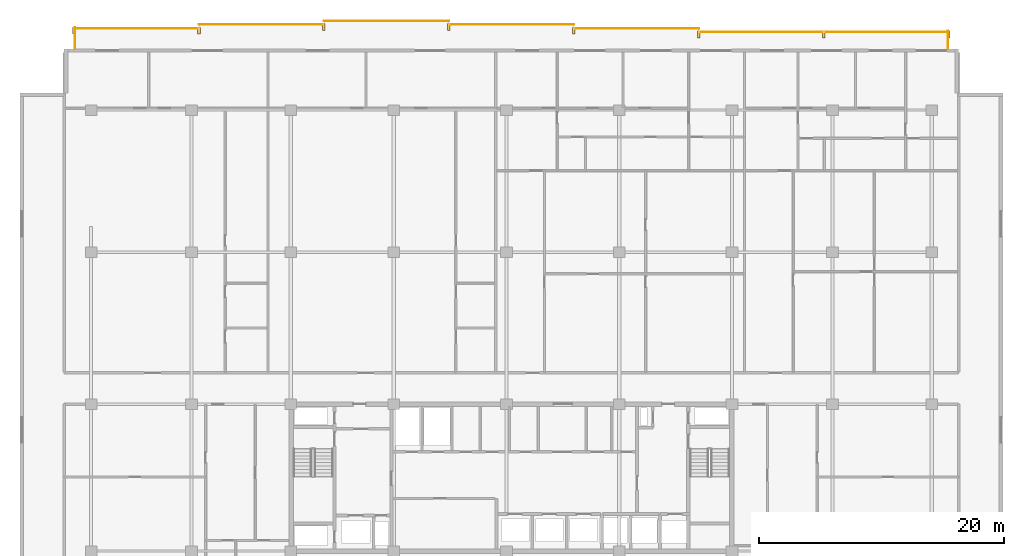
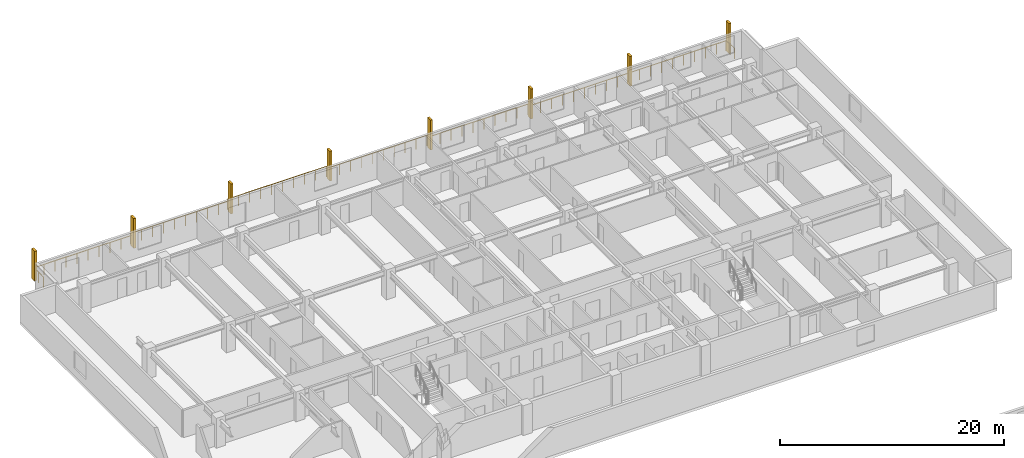
# One storey, part 22 of 22: 8 railings, 8 shading devices.
"""IFC4 building model written with IfcOpenShell, lengths in metres."""

import ifcopenshell
import ifcopenshell.guid

model = None  # the IFC model being written
_history = None  # IfcOwnerHistory: only IFC2X3 demands one
_inside = {}  # id of a spatial element -> (the spatial element, [elements in it])
_under = {}  # id of a project, library or spatial element -> (it, [spatial elements below it])
_declared = {}  # id of a project -> (the project, [libraries it declares])
_typed = {}  # id of a type object -> (the type object, [elements of that type])
_made_of = {}  # id of a material, layer set ... -> (it, [elements and type objects made of it])


def new_model(schema):
    """Start an empty IFC model of exactly this schema.

    Asked for "IFC4X3", IfcOpenShell would pick the latest addendum, in which some entities
    have other attributes; the version numbers below select the first issue.
    IFC2X3 requires an IfcOwnerHistory on every rooted entity: one is made here for all.
    """
    global model, _history
    if schema == "IFC4X3":
        model = ifcopenshell.file(schema_version=(4, 3, 0, 0))
    else:
        model = ifcopenshell.file(schema=schema)
    _inside.clear()
    _under.clear()
    _declared.clear()
    _typed.clear()
    _made_of.clear()
    _history = None
    if model.schema == "IFC2X3":
        org = make("IfcOrganization", Name="unknown")
        user = make(
            "IfcPersonAndOrganization",
            ThePerson=make("IfcPerson", FamilyName="unknown"),
            TheOrganization=org,
        )
        app = make(
            "IfcApplication",
            ApplicationDeveloper=org,
            Version="unknown",
            ApplicationFullName="unknown",
            ApplicationIdentifier="unknown",
        )
        _history = make(
            "IfcOwnerHistory",
            OwningUser=user,
            OwningApplication=app,
            ChangeAction="ADDED",
            CreationDate=0,
        )
    return model


def make(cls, **values):
    """One entity of the class cls with the attributes given. An attribute that is None is left unset."""
    return model.create_entity(
        cls, **{name: value for name, value in values.items() if value is not None}
    )


def rooted(cls, **values):
    """An entity with a GlobalId (a new one), such as an element, a storey or a relation."""
    return make(cls, GlobalId=ifcopenshell.guid.new(), OwnerHistory=_history, **values)


def si_unit(unit_type, name, prefix=None):
    """IfcSIUnit, for example si_unit("LENGTHUNIT", "METRE", prefix="MILLI")."""
    return make("IfcSIUnit", UnitType=unit_type, Prefix=prefix, Name=name)


def assignment(units):
    """IfcUnitAssignment: the units of a project."""
    return None if units is None else make("IfcUnitAssignment", Units=units)


def point(xyz):
    """IfcCartesianPoint."""
    return None if xyz is None else make("IfcCartesianPoint", Coordinates=xyz)


def direction(xyz):
    """IfcDirection."""
    return None if xyz is None else make("IfcDirection", DirectionRatios=xyz)


def frame(location, z_axis=None, x_axis=None):
    """IfcAxis2Placement3D, a coordinate frame: its origin and axes. An axis left out is left unset."""
    return make(
        "IfcAxis2Placement3D",
        Location=point(location),
        Axis=direction(z_axis),
        RefDirection=direction(x_axis),
    )


def frame_2d(location, x_axis=None):
    """IfcAxis2Placement2D, a coordinate frame in the plane: its origin and x axis."""
    return make(
        "IfcAxis2Placement2D", Location=point(location), RefDirection=direction(x_axis)
    )


def origin():
    """The frame at (0, 0, 0) with its axes left unset."""
    return frame((0.0, 0.0, 0.0))


def origin_2d():
    """The frame at (0, 0) in the plane with its x axis left unset."""
    return frame_2d((0.0, 0.0))


def place(relative_to, where):
    """IfcLocalPlacement: puts the frame where relative to a parent placement (None: the world)."""
    return make(
        "IfcLocalPlacement", PlacementRelTo=relative_to, RelativePlacement=where
    )


def context(
    kind, dimensions, precision=None, world=None, true_north=None, identifier=None
):
    """IfcGeometricRepresentationContext, for example the 3D "Model" context."""
    return make(
        "IfcGeometricRepresentationContext",
        ContextIdentifier=identifier,
        ContextType=kind,
        CoordinateSpaceDimension=dimensions,
        Precision=precision,
        WorldCoordinateSystem=world,
        TrueNorth=true_north,
    )


def subcontext(parent, identifier, kind, view, scale=None):
    """IfcGeometricRepresentationSubContext, for example "Body" below "Model"."""
    return make(
        "IfcGeometricRepresentationSubContext",
        ContextIdentifier=identifier,
        ContextType=kind,
        ParentContext=parent,
        TargetScale=scale,
        TargetView=view,
    )


def project(units=None, contexts=None):
    """IfcProject with its units and contexts."""
    return rooted(
        "IfcProject",
        Name="project",
        RepresentationContexts=contexts,
        UnitsInContext=assignment(units),
    )


def spatial(cls, under=None, at=None, **own):
    """A site, building, storey or space (cls), placed at a placement, below another one or the project."""
    s = rooted(cls, ObjectPlacement=at, **own)
    if under is not None:
        _under.setdefault(under.id(), (under, []))[1].append(s)
    return s


def profile(cls, at=None, kind="AREA", **sizes):
    """A parametric profile (cls). Its sizes go by their IFC names, for example OverallWidth=200.0."""
    return make(cls, ProfileType=kind, Position=at, **sizes)


def rectangle(**sizes):
    """IfcRectangleProfileDef."""
    return profile("IfcRectangleProfileDef", **sizes)


def circle(**sizes):
    """IfcCircleProfileDef."""
    return profile("IfcCircleProfileDef", **sizes)


def extrude(swept, where, along, depth):
    """IfcExtrudedAreaSolid: the profile swept, set in the frame where, extruded along a direction by depth."""
    return make(
        "IfcExtrudedAreaSolid",
        SweptArea=swept,
        Position=where,
        ExtrudedDirection=direction(along),
        Depth=depth,
    )


def shape(context_of_items, identifier, shape_type, items):
    """IfcShapeRepresentation: the items that make up one representation, for example the "Body"."""
    return make(
        "IfcShapeRepresentation",
        ContextOfItems=context_of_items,
        RepresentationIdentifier=identifier,
        RepresentationType=shape_type,
        Items=items,
    )


def material(Name=None, Category=None):
    """IfcMaterial."""
    return make("IfcMaterial", Name=Name, Category=Category)


def made_of(thing, what):
    """Note that an element or type object is made of a material, layer set ...; save() writes the relation."""
    if what is not None:
        _made_of.setdefault(what.id(), (what, []))[1].append(thing)
    return thing


def type_object(cls, material=None, **own):
    """A type object (cls), such as IfcWallType, which elements share."""
    return made_of(rooted(cls, **own), material)


def element(
    cls,
    number,
    at=None,
    inside=None,
    cuts=None,
    type_object=None,
    material=None,
    context=None,
    identifier="Body",
    shape_type=None,
    held_by="IfcProductDefinitionShape",
    body=None,
    shapes=None,
    **own,
):
    """One element of the class cls, such as IfcWall. Its Tag is "e" and its number.

    at: its placement. inside: the storey or other place that contains it. cuts: it is an
    opening in that element (IfcRelVoidsElement). A single representation is given by context,
    identifier, shape_type and body (its items); several are given by shapes. held_by: the class
    of the entity that holds the representations. save() writes the other relations.
    """
    e = rooted(cls, Tag="e%d" % number, ObjectPlacement=at, **own)
    if body is not None:
        shapes = [shape(context, identifier, shape_type, body)]
    if shapes is not None:
        e.Representation = make(held_by, Representations=shapes)
    if inside is not None:
        _inside.setdefault(inside.id(), (inside, []))[1].append(e)
    if cuts is not None:
        rooted(
            "IfcRelVoidsElement", RelatingBuildingElement=cuts, RelatedOpeningElement=e
        )
    if type_object is not None:
        _typed.setdefault(type_object.id(), (type_object, []))[1].append(e)
    return made_of(e, material)


def aggregate(whole, parts):
    """IfcRelAggregates: a whole, such as a stair, and the parts it consists of."""
    return rooted("IfcRelAggregates", RelatingObject=whole, RelatedObjects=parts)


def save(model, path):
    """Write the relations noted so far, then the file.

    IfcRelAggregates (storeys below a building ...), IfcRelContainedInSpatialStructure (elements
    in a storey), IfcRelDefinesByType, IfcRelAssociatesMaterial and IfcRelDeclares: one each for
    every whole, place, type object, material and project.
    """
    for whole, parts in _under.values():
        aggregate(whole, parts)
    for where, things in _inside.values():
        rooted(
            "IfcRelContainedInSpatialStructure",
            RelatedElements=things,
            RelatingStructure=where,
        )
    for kind, things in _typed.values():
        rooted("IfcRelDefinesByType", RelatedObjects=things, RelatingType=kind)
    for what, things in _made_of.values():
        rooted("IfcRelAssociatesMaterial", RelatedObjects=things, RelatingMaterial=what)
    for by, libraries in _declared.values():
        rooted("IfcRelDeclares", RelatingContext=by, RelatedDefinitions=libraries)
    model.write(path)


model = new_model("IFC4")

# Units and contexts
model_context = context("Model", 3, precision=1e-05, world=origin(), true_north=direction((0.0, 1.0)))
body_context = subcontext(model_context, "Body", "Model", "MODEL_VIEW")
ifc_project = project(units=[si_unit("LENGTHUNIT", "METRE"), si_unit("AREAUNIT", "SQUARE_METRE"), si_unit("VOLUMEUNIT", "CUBIC_METRE"), si_unit("PLANEANGLEUNIT", "RADIAN"), si_unit("MASSUNIT", "GRAM", prefix="KILO")], contexts=[model_context])

# Site, building, storey
site_placement = place(None, origin())
site = spatial("IfcSite", under=ifc_project, at=site_placement, CompositionType="ELEMENT")
building_placement = place(site_placement, origin())
building = spatial("IfcBuilding", under=site, at=building_placement, Name="Korimba Cascade Residences", CompositionType="ELEMENT")
storey_placement = place(building_placement, frame((0.0, 0.0, 129.550048828125)))
storey = spatial("IfcBuildingStorey", under=building, at=storey_placement, Name="L37", CompositionType="ELEMENT", Elevation=129.550048828125)

# Railings
ifc_material_1 = material(Name="Laminated Glass and Bronze Balustrade", Category="glass")
railing_type = type_object("IfcRailingType", Name="RLG-LOG-1150", PredefinedType="BALUSTRADE", material=ifc_material_1)
railing_1_placement = place(storey_placement, frame((129.719970703125, 96.199951171875, 0.0)))
element("IfcRailing", 1, at=railing_1_placement, inside=storey, type_object=railing_type, Name="L37 Perimeter Guardrail RLG-L37-T1-LOG-01", PredefinedType="BALUSTRADE", context=body_context, shape_type="SweptSolid", body=[
    extrude(circle(Radius=0.02392578125, at=origin_2d()), frame((0.0, 0.0, 1.1259765625), z_axis=(0.0, 1.0, 0.0), x_axis=(-1.0, 0.0, 0.0)), (0.0, 0.0, 1.0), 1.449951171875),
    extrude(circle(Radius=0.02099609375, at=origin_2d()), origin(), (0.0, 0.0, 1.0), 1.101806640625),
    extrude(circle(Radius=0.02099609375, at=origin_2d()), frame((0.0, 0.72509765625, 0.0)), (0.0, 0.0, 1.0), 1.101806640625),
    extrude(circle(Radius=0.02099609375, at=origin_2d()), frame((0.0, 1.449951171875, 0.0)), (0.0, 0.0, 1.0), 1.101806640625),
])
railing_2_placement = place(storey_placement, frame((129.800048828125, 97.570068359375, 0.0)))
element("IfcRailing", 2, at=railing_2_placement, inside=storey, type_object=railing_type, Name="L37 Perimeter Guardrail RLG-L37-T1-LOG-02", PredefinedType="BALUSTRADE", context=body_context, shape_type="SweptSolid", body=[
    extrude(circle(Radius=0.02392578125, at=origin_2d()), frame((0.0, 0.0, 1.1259765625), z_axis=(-1.0, 0.0, 0.0), x_axis=(0.0, -1.0, 0.0)), (0.0, 0.0, 1.0), 20.400146484375),
    extrude(circle(Radius=0.02099609375, at=origin_2d()), origin(), (0.0, 0.0, 1.0), 1.101806640625),
    extrude(circle(Radius=0.02099609375, at=origin_2d()), frame((-1.13330078125, 0.0, 0.0)), (0.0, 0.0, 1.0), 1.101806640625),
    extrude(circle(Radius=0.02099609375, at=origin_2d()), frame((-2.2666015625, 0.0, 0.0)), (0.0, 0.0, 1.0), 1.101806640625),
    extrude(circle(Radius=0.02099609375, at=origin_2d()), frame((-3.39990234375, 0.0, 0.0)), (0.0, 0.0, 1.0), 1.101806640625),
    extrude(circle(Radius=0.02099609375, at=origin_2d()), frame((-4.533447265625, 0.0, 0.0)), (0.0, 0.0, 1.0), 1.101806640625),
    extrude(circle(Radius=0.02099609375, at=origin_2d()), frame((-5.666748046875, 0.0, 0.0)), (0.0, 0.0, 1.0), 1.101806640625),
    extrude(circle(Radius=0.02099609375, at=origin_2d()), frame((-6.800048828125, 0.0, 0.0)), (0.0, 0.0, 1.0), 1.101806640625),
    extrude(circle(Radius=0.02099609375, at=origin_2d()), frame((-7.933349609375, 0.0, 0.0)), (0.0, 0.0, 1.0), 1.101806640625),
    extrude(circle(Radius=0.02099609375, at=origin_2d()), frame((-9.066650390625, 0.0, 0.0)), (0.0, 0.0, 1.0), 1.101806640625),
    extrude(circle(Radius=0.02099609375, at=origin_2d()), frame((-10.2001953125, 0.0, 0.0)), (0.0, 0.0, 1.0), 1.101806640625),
    extrude(circle(Radius=0.02099609375, at=origin_2d()), frame((-11.33349609375, 0.0, 0.0)), (0.0, 0.0, 1.0), 1.101806640625),
    extrude(circle(Radius=0.02099609375, at=origin_2d()), frame((-12.466796875, 0.0, 0.0)), (0.0, 0.0, 1.0), 1.101806640625),
    extrude(circle(Radius=0.02099609375, at=origin_2d()), frame((-13.60009765625, 0.0, 0.0)), (0.0, 0.0, 1.0), 1.101806640625),
    extrude(circle(Radius=0.02099609375, at=origin_2d()), frame((-14.7333984375, 0.0, 0.0)), (0.0, 0.0, 1.0), 1.101806640625),
    extrude(circle(Radius=0.02099609375, at=origin_2d()), frame((-15.86669921875, 0.0, 0.0)), (0.0, 0.0, 1.0), 1.101806640625),
    extrude(circle(Radius=0.02099609375, at=origin_2d()), frame((-17.0, 0.0, 0.0)), (0.0, 0.0, 1.0), 1.101806640625),
    extrude(circle(Radius=0.02099609375, at=origin_2d()), frame((-18.133544921875, 0.0, 0.0)), (0.0, 0.0, 1.0), 1.101806640625),
    extrude(circle(Radius=0.02099609375, at=origin_2d()), frame((-19.266845703125, 0.0, 0.0)), (0.0, 0.0, 1.0), 1.101806640625),
    extrude(circle(Radius=0.02099609375, at=origin_2d()), frame((-20.400146484375, 0.0, 0.0)), (0.0, 0.0, 1.0), 1.101806640625),
])
for number, where, name in (
    (3, (109.39990234375, 97.8701171875, 0.0), "L37 Perimeter Guardrail RLG-L37-T1-LOG-03"),
    (4, (99.199951171875, 98.169921875, 0.0), "L37 Perimeter Guardrail RLG-L37-T1-LOG-04"),
    (5, (89.0, 98.469970703125, 0.0), "L37 Perimeter Guardrail RLG-L37-T1-LOG-05"),
    (6, (78.800048828125, 98.169921875, 0.0), "L37 Perimeter Guardrail RLG-L37-T1-LOG-06"),
):
    element("IfcRailing", number, at=place(storey_placement, frame(where)), inside=storey, type_object=railing_type, Name=name, PredefinedType="BALUSTRADE", context=body_context, shape_type="SweptSolid", body=[
        extrude(circle(Radius=0.02392578125, at=origin_2d()), frame((0.0, 0.0, 1.1259765625), z_axis=(-1.0, 0.0, 0.0), x_axis=(0.0, -1.0, 0.0)), (0.0, 0.0, 1.0), 10.199951171875),
        extrude(circle(Radius=0.02099609375, at=origin_2d()), origin(), (0.0, 0.0, 1.0), 1.101806640625),
        extrude(circle(Radius=0.02099609375, at=origin_2d()), frame((-1.13330078125, 0.0, 0.0)), (0.0, 0.0, 1.0), 1.101806640625),
        extrude(circle(Radius=0.02099609375, at=origin_2d()), frame((-2.2666015625, 0.0, 0.0)), (0.0, 0.0, 1.0), 1.101806640625),
        extrude(circle(Radius=0.02099609375, at=origin_2d()), frame((-3.39990234375, 0.0, 0.0)), (0.0, 0.0, 1.0), 1.101806640625),
        extrude(circle(Radius=0.02099609375, at=origin_2d()), frame((-4.533203125, 0.0, 0.0)), (0.0, 0.0, 1.0), 1.101806640625),
        extrude(circle(Radius=0.02099609375, at=origin_2d()), frame((-5.666748046875, 0.0, 0.0)), (0.0, 0.0, 1.0), 1.101806640625),
        extrude(circle(Radius=0.02099609375, at=origin_2d()), frame((-6.800048828125, 0.0, 0.0)), (0.0, 0.0, 1.0), 1.101806640625),
        extrude(circle(Radius=0.02099609375, at=origin_2d()), frame((-7.933349609375, 0.0, 0.0)), (0.0, 0.0, 1.0), 1.101806640625),
        extrude(circle(Radius=0.02099609375, at=origin_2d()), frame((-9.066650390625, 0.0, 0.0)), (0.0, 0.0, 1.0), 1.101806640625),
        extrude(circle(Radius=0.02099609375, at=origin_2d()), frame((-10.199951171875, 0.0, 0.0)), (0.0, 0.0, 1.0), 1.101806640625),
    ])
railing_3_placement = place(storey_placement, frame((68.60009765625, 97.8701171875, 0.0)))
element("IfcRailing", 7, at=railing_3_placement, inside=storey, type_object=railing_type, Name="L37 Perimeter Guardrail RLG-L37-T1-LOG-07", PredefinedType="BALUSTRADE", context=body_context, shape_type="SweptSolid", body=[
    extrude(circle(Radius=0.02392578125, at=origin_2d()), frame((0.0, 0.0, 1.1259765625), z_axis=(-1.0, 0.0, 0.0), x_axis=(0.0, -1.0, 0.0)), (0.0, 0.0, 1.0), 10.2001953125),
    extrude(circle(Radius=0.02099609375, at=origin_2d()), origin(), (0.0, 0.0, 1.0), 1.101806640625),
    extrude(circle(Radius=0.02099609375, at=origin_2d()), frame((-1.13330078125, 0.0, 0.0)), (0.0, 0.0, 1.0), 1.101806640625),
    extrude(circle(Radius=0.02099609375, at=origin_2d()), frame((-2.2666015625, 0.0, 0.0)), (0.0, 0.0, 1.0), 1.101806640625),
    extrude(circle(Radius=0.02099609375, at=origin_2d()), frame((-3.400146484375, 0.0, 0.0)), (0.0, 0.0, 1.0), 1.101806640625),
    extrude(circle(Radius=0.02099609375, at=origin_2d()), frame((-4.533447265625, 0.0, 0.0)), (0.0, 0.0, 1.0), 1.101806640625),
    extrude(circle(Radius=0.02099609375, at=origin_2d()), frame((-5.666748046875, 0.0, 0.0)), (0.0, 0.0, 1.0), 1.101806640625),
    extrude(circle(Radius=0.02099609375, at=origin_2d()), frame((-6.800048828125, 0.0, 0.0)), (0.0, 0.0, 1.0), 1.101806640625),
    extrude(circle(Radius=0.02099609375, at=origin_2d()), frame((-7.93359375, 0.0, 0.0)), (0.0, 0.0, 1.0), 1.101806640625),
    extrude(circle(Radius=0.02099609375, at=origin_2d()), frame((-9.06689453125, 0.0, 0.0)), (0.0, 0.0, 1.0), 1.101806640625),
    extrude(circle(Radius=0.02099609375, at=origin_2d()), frame((-10.2001953125, 0.0, 0.0)), (0.0, 0.0, 1.0), 1.101806640625),
])
railing_4_placement = place(storey_placement, frame((58.47998046875, 97.949951171875, 0.0)))
element("IfcRailing", 8, at=railing_4_placement, inside=storey, type_object=railing_type, Name="L37 Perimeter Guardrail RLG-L37-T1-LOG-08", PredefinedType="BALUSTRADE", context=body_context, shape_type="SweptSolid", body=[
    extrude(circle(Radius=0.02392578125, at=origin_2d()), frame((0.0, 0.0, 1.1259765625), z_axis=(0.0, -1.0, 0.0), x_axis=(1.0, 0.0, 0.0)), (0.0, 0.0, 1.0), 1.75),
    extrude(circle(Radius=0.02099609375, at=origin_2d()), origin(), (0.0, 0.0, 1.0), 1.101806640625),
    extrude(circle(Radius=0.02099609375, at=origin_2d()), frame((0.0, -0.875, 0.0)), (0.0, 0.0, 1.0), 1.101806640625),
    extrude(circle(Radius=0.02099609375, at=origin_2d()), frame((0.0, -1.75, 0.0)), (0.0, 0.0, 1.0), 1.101806640625),
])

# Shading devices
ifc_material_2 = material(Name="Honed Sandstone Precast Fin", Category="masonry")
shading_device_type = type_object("IfcShadingDeviceType", Name="SHD-FIN-550", PredefinedType="USERDEFINED", material=ifc_material_2)
for number, where, z_axis, x_axis, name in (
    (9, (58.39990234375, 97.675048828125, 0.0), (0.0, 0.0, 1.0), (1.0, 0.0, 0.0), "L37 T1 Warm-Stone Loggia Fin 1"),
    (10, (68.60009765625, 97.675048828125, 0.0), (0.0, 0.0, 1.0), (1.0, 0.0, 0.0), "L37 T1 Warm-Stone Loggia Fin 2"),
    (11, (78.800048828125, 97.97509765625, 0.0), (0.0, 0.0, 1.0), (1.0, 0.0, 0.0), "L37 T1 Warm-Stone Loggia Fin 3"),
    (12, (89.0, 97.97509765625, 0.0), (0.0, 0.0, 1.0), (1.0, 0.0, 0.0), "L37 T1 Warm-Stone Loggia Fin 4"),
    (13, (99.199951171875, 97.675048828125, 0.0), (0.0, 0.0, 1.0), (1.0, 0.0, 0.0), "L37 T1 Warm-Stone Loggia Fin 5"),
    (14, (109.39990234375, 97.375, 0.0), (0.0, 0.0, 1.0), (1.0, 0.0, 0.0), "L37 T1 Warm-Stone Loggia Fin 6"),
    (15, (119.60009765625, 97.375, 0.0), (0.0, 0.0, 1.0), (1.0, 0.0, 0.0), "L37 T1 Warm-Stone Loggia Fin 7"),
    (16, (129.800048828125, 97.375, 0.0), (0.0, 0.0, 1.0), (1.0, 0.0, 0.0), "L37 T1 Warm-Stone Loggia Fin 8"),
):
    element("IfcShadingDevice", number, at=place(storey_placement, frame(where, z_axis=z_axis, x_axis=x_axis)), inside=storey, type_object=shading_device_type, Name=name, ObjectType="FIN", PredefinedType="USERDEFINED", context=body_context, shape_type="SweptSolid", body=[
        extrude(rectangle(XDim=0.219970703125, YDim=0.550048828125, at=origin_2d()), origin(), (0.0, 0.0, 1.0), 3.25),
    ])

save(model, "model.ifc")
